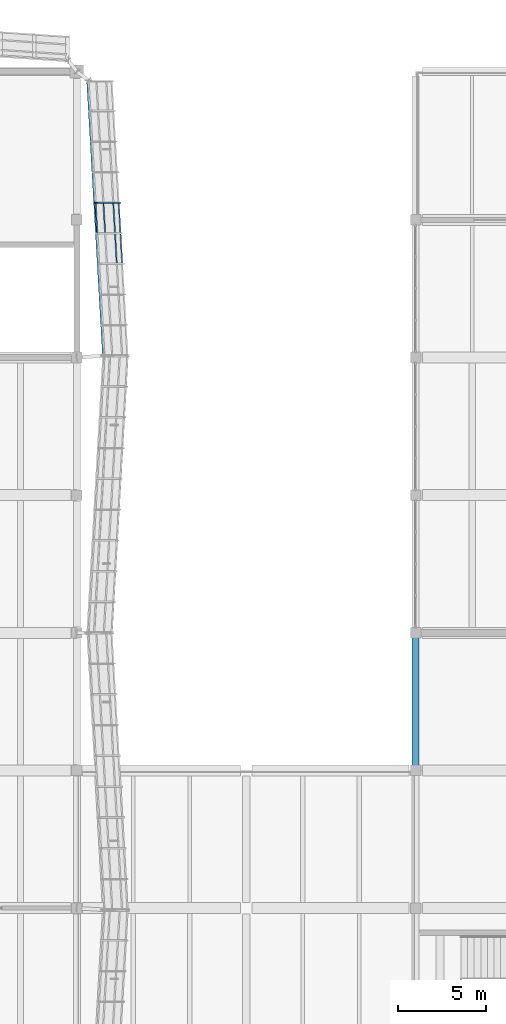
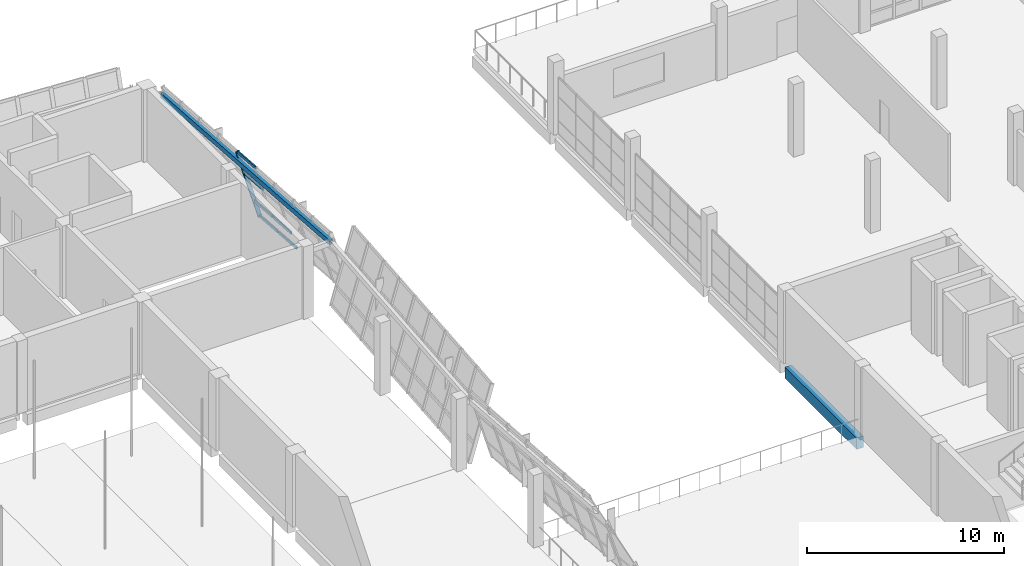
# One storey, part 22 of 71: 7 members, 2 beams, 1 element without a shape of its own.
"""IFC4 building model written with IfcOpenShell, lengths in metres."""

from ifc_helpers import new_model, si_unit, direction, frame, origin, origin_2d, place, context, subcontext, project, spatial, rectangle, hollow_rectangle, extrude, material, material_profile, profile_set, type_object, element, aggregate, save


model = new_model("IFC4")

# Units and contexts
model_context = context("Model", 3, precision=1e-05, world=origin(), true_north=direction((0.0, 1.0)))
body_context = subcontext(model_context, "Body", "Model", "MODEL_VIEW")
ifc_project = project(units=[si_unit("LENGTHUNIT", "METRE"), si_unit("AREAUNIT", "SQUARE_METRE"), si_unit("VOLUMEUNIT", "CUBIC_METRE"), si_unit("PLANEANGLEUNIT", "RADIAN"), si_unit("MASSUNIT", "GRAM", prefix="KILO")], contexts=[model_context])

# Site, building, storey
site_placement = place(None, origin())
site = spatial("IfcSite", under=ifc_project, at=site_placement, CompositionType="ELEMENT")
building_placement = place(site_placement, origin())
building = spatial("IfcBuilding", under=site, at=building_placement, Name="Pellamere Symphony Hall", CompositionType="ELEMENT")
storey_placement = place(building_placement, frame((0.0, 0.0, 15.0)))
storey = spatial("IfcBuildingStorey", under=building, at=storey_placement, Name="L03", CompositionType="ELEMENT", Elevation=15.0)

# Curtain wall, members
ifc_material_1 = material(Name="Thermally Broken Anodised Aluminium 6063-T6 Curtain Wall", Category="aluminium")
curtain_wall_type = type_object("IfcCurtainWallType", Name="Curtain Wall CW-01 (Tilted Faceted Crystal Low-Iron Curtain Wall)", PredefinedType="NOTDEFINED", material=ifc_material_1)
curtain_wall_placement = place(storey_placement, origin())
curtain_wall = element("IfcCurtainWall", 1, at=curtain_wall_placement, inside=storey, type_object=curtain_wall_type, Name="Crystal Faceted Curtain Wall CW-CR09 (L03)", PredefinedType="NOTDEFINED")
ifc_material_2 = material(Name="Anodised Architectural Aluminium 6063-T6", Category="aluminium")
ifc_material_profile_1 = material_profile(ifc_material_2, hollow_rectangle(XDim=0.074951171875, YDim=0.219970703125, WallThickness=0.0048828125, at=origin_2d()), Name="ALU-M75X220X5")
ifc_profile_set_1 = profile_set([ifc_material_profile_1], Name="Anodised Architectural Aluminium 6063-T6")
member_type_1 = type_object("IfcMemberType", Name="Curtain Wall Mullion ML-01 ALU-M75X220X5", PredefinedType="MULLION", material=ifc_profile_set_1)
member_1_placement = place(storey_placement, frame((121.18310546875, 86.166748046875, 0.0), z_axis=(-0.284024567884, 0.0, 0.95881700279), x_axis=(-0.055224537145, 0.998339941676, -0.01635883099)))
member_1 = element("IfcMember", 2, at=member_1_placement, type_object=member_type_1, Name="CW1-020 crystal mullion 6", PredefinedType="MULLION", context=body_context, shape_type="SweptSolid", body=[
    extrude(hollow_rectangle(XDim=0.074951171875, YDim=0.219970703125, WallThickness=0.0048828125, at=origin_2d()), origin(), (0.0, 0.0, 1.0), 4.693359375),
])
ifc_material_profile_2 = material_profile(ifc_material_2, hollow_rectangle(XDim=0.074951171875, YDim=0.179931640625, WallThickness=0.0048828125, at=origin_2d()), Name="ALU-T75X180X5")
ifc_profile_set_2 = profile_set([ifc_material_profile_2], Name="Anodised Architectural Aluminium 6063-T6")
member_type_2 = type_object("IfcMemberType", Name="Curtain Wall Transom TR-01 ALU-T75X180X5", PredefinedType="USERDEFINED", material=ifc_profile_set_2)
member_2_placement = place(storey_placement, frame((121.3701171875, 82.737548828125, 0.035888671875), z_axis=(-0.057610619545, 0.998339129012, 0.0), x_axis=(-0.998339129012, -0.057610619545, 0.0)))
member_2 = element("IfcMember", 3, at=member_2_placement, type_object=member_type_2, Name="CW1-020 crystal transom 4.1", ObjectType="TRANSOM", PredefinedType="USERDEFINED", context=body_context, shape_type="SweptSolid", body=[
    extrude(hollow_rectangle(XDim=0.074951171875, YDim=0.179931640625, WallThickness=0.0048828125, at=origin_2d()), origin(), (0.0, 0.0, 1.0), 1.6611328125),
])
member_3_placement = place(storey_placement, frame((121.06103515625, 82.737548828125, 1.080078125), z_axis=(-0.057610619545, 0.998339129012, 0.0), x_axis=(-0.998339129012, -0.057610619545, 0.0)))
member_3 = element("IfcMember", 4, at=member_3_placement, type_object=member_type_2, Name="CW1-020 crystal transom 4.2", ObjectType="TRANSOM", PredefinedType="USERDEFINED", context=body_context, shape_type="SweptSolid", body=[
    extrude(hollow_rectangle(XDim=0.074951171875, YDim=0.179931640625, WallThickness=0.0048828125, at=origin_2d()), origin(), (0.0, 0.0, 1.0), 1.6611328125),
])
member_4_placement = place(storey_placement, frame((121.270263671875, 84.470703125, 0.035888671875), z_axis=(-0.057610619545, 0.998339129012, 0.0), x_axis=(-0.998339129012, -0.057610619545, 0.0)))
member_4 = element("IfcMember", 5, at=member_4_placement, type_object=member_type_2, Name="CW1-020 crystal transom 5.1", ObjectType="TRANSOM", PredefinedType="USERDEFINED", context=body_context, shape_type="SweptSolid", body=[
    extrude(hollow_rectangle(XDim=0.074951171875, YDim=0.179931640625, WallThickness=0.0048828125, at=origin_2d()), origin(), (0.0, 0.0, 1.0), 1.6611328125),
])
member_5_placement = place(storey_placement, frame((120.9609375, 84.470703125, 1.080078125), z_axis=(-0.057610619545, 0.998339129012, 0.0), x_axis=(-0.998339129012, -0.057610619545, 0.0)))
member_5 = element("IfcMember", 6, at=member_5_placement, type_object=member_type_2, Name="CW1-020 crystal transom 5.2", ObjectType="TRANSOM", PredefinedType="USERDEFINED", context=body_context, shape_type="SweptSolid", body=[
    extrude(hollow_rectangle(XDim=0.074951171875, YDim=0.179931640625, WallThickness=0.0048828125, at=origin_2d()), origin(), (0.0, 0.0, 1.0), 1.6611328125),
])
member_6_placement = place(storey_placement, frame((120.401123046875, 84.470703125, 2.969970703125), z_axis=(-0.057610619545, 0.998339129012, 0.0), x_axis=(-0.998339129012, -0.057610619545, 0.0)))
member_6 = element("IfcMember", 7, at=member_6_placement, type_object=member_type_2, Name="CW1-020 crystal transom 5.3", ObjectType="TRANSOM", PredefinedType="USERDEFINED", context=body_context, shape_type="SweptSolid", body=[
    extrude(hollow_rectangle(XDim=0.074951171875, YDim=0.179931640625, WallThickness=0.0048828125, at=origin_2d()), origin(), (0.0, 0.0, 1.0), 1.6611328125),
])
member_7_placement = place(storey_placement, frame((119.95849609375, 84.470703125, 4.464111328125), z_axis=(-0.057610619545, 0.998339129012, 0.0), x_axis=(-0.998339129012, -0.057610619545, 0.0)))
member_7 = element("IfcMember", 8, at=member_7_placement, type_object=member_type_2, Name="CW1-020 crystal transom 5.4", ObjectType="TRANSOM", PredefinedType="USERDEFINED", context=body_context, shape_type="SweptSolid", body=[
    extrude(hollow_rectangle(XDim=0.074951171875, YDim=0.179931640625, WallThickness=0.0048828125, at=origin_2d()), origin(), (0.0, 0.0, 1.0), 1.6611328125),
])
aggregate(curtain_wall, [member_1, member_2, member_3, member_4, member_5, member_6, member_7])

# Beams
ifc_material_3 = material(Name="Concrete 40 MPa", Category="concrete")
ifc_material_profile_3 = material_profile(ifc_material_3, rectangle(XDim=0.39990234375, YDim=0.699951171875, at=origin_2d()), Name="RC 400x700")
ifc_profile_set_3 = profile_set([ifc_material_profile_3], Name="Concrete 40 MPa")
beam_type_1 = type_object("IfcBeamType", Name="RC CB-13 400x700", PredefinedType="SPANDREL", material=ifc_profile_set_3)
beam_1_placement = place(storey_placement, frame((138.0, 54.25, -0.610107421875), z_axis=(0.0, 1.0, 0.0), x_axis=(-1.0, 0.0, 0.0)))
element("IfcBeam", 9, at=beam_1_placement, inside=storey, type_object=beam_type_1, Name="Girder CB-13-Y1674 (L03)", PredefinedType="SPANDREL", context=body_context, shape_type="SweptSolid", body=[
    extrude(rectangle(XDim=0.39990234375, YDim=0.699951171875, at=origin_2d()), origin(), (0.0, 0.0, 1.0), 7.300048828125),
])
ifc_material_4 = material(Name="Steel CSA G40.21 350W", Category="steel")
ifc_material_profile_4 = material_profile(ifc_material_4, hollow_rectangle(XDim=0.203125, YDim=0.3046875, WallThickness=0.0126953125, at=origin_2d()), Name="HSS305X203X13")
ifc_profile_set_4 = profile_set([ifc_material_profile_4], Name="Steel CSA G40.21 350W")
beam_type_2 = type_object("IfcBeamType", Name="Steel Spandrel SB-26 HSS305X203X13", PredefinedType="SPANDREL", material=ifc_profile_set_4)
beam_2_placement = place(storey_placement, frame((120.35009765625, 77.5, 3.93994140625), z_axis=(-0.057605519012, 0.998339423332, 0.0), x_axis=(-0.998339423332, -0.057605519012, 0.0)))
element("IfcBeam", 10, at=beam_2_placement, inside=storey, type_object=beam_type_2, Name="Crystal Perimeter Ring Beam CW-CR09 (L03)", PredefinedType="SPANDREL", context=body_context, shape_type="SweptSolid", body=[
    extrude(hollow_rectangle(XDim=0.203125, YDim=0.3046875, WallThickness=0.0126953125, at=origin_2d()), origin(), (0.0, 0.0, 1.0), 15.6259765625),
])

save(model, "model.ifc")
